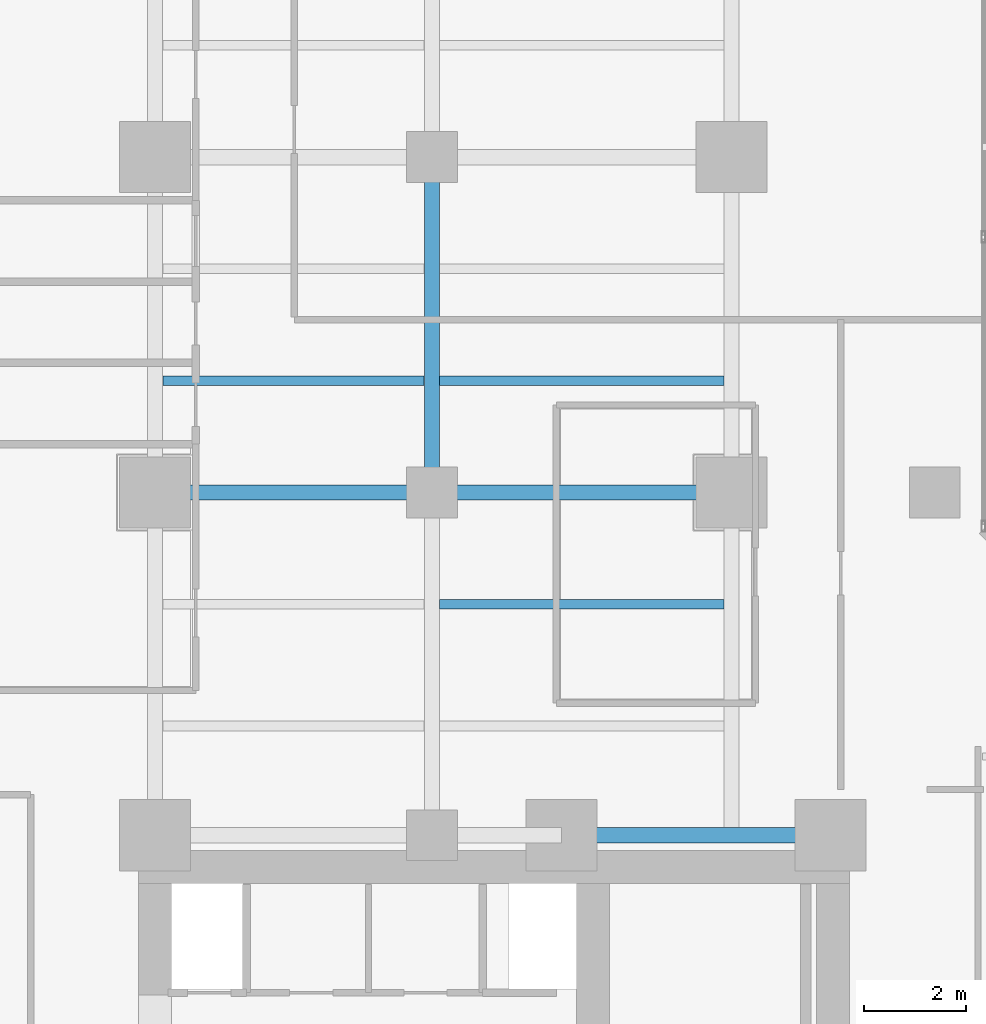
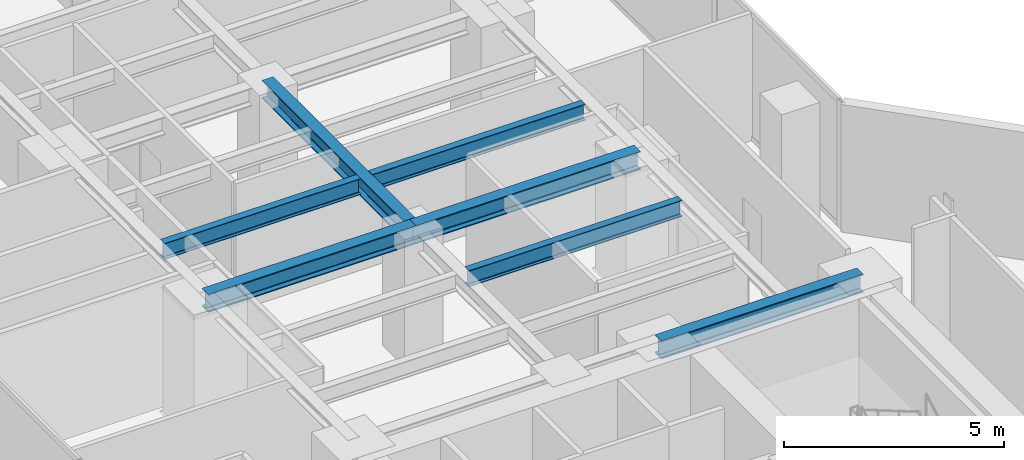
# One storey, part 9 of 29: 7 beams.
"""IFC4 building model written with IfcOpenShell, lengths in metres."""

import ifcopenshell
import ifcopenshell.guid

model = None  # the IFC model being written
_history = None  # IfcOwnerHistory: only IFC2X3 demands one
_inside = {}  # id of a spatial element -> (the spatial element, [elements in it])
_under = {}  # id of a project, library or spatial element -> (it, [spatial elements below it])
_declared = {}  # id of a project -> (the project, [libraries it declares])
_typed = {}  # id of a type object -> (the type object, [elements of that type])
_made_of = {}  # id of a material, layer set ... -> (it, [elements and type objects made of it])


def new_model(schema):
    """Start an empty IFC model of exactly this schema.

    Asked for "IFC4X3", IfcOpenShell would pick the latest addendum, in which some entities
    have other attributes; the version numbers below select the first issue.
    IFC2X3 requires an IfcOwnerHistory on every rooted entity: one is made here for all.
    """
    global model, _history
    if schema == "IFC4X3":
        model = ifcopenshell.file(schema_version=(4, 3, 0, 0))
    else:
        model = ifcopenshell.file(schema=schema)
    _inside.clear()
    _under.clear()
    _declared.clear()
    _typed.clear()
    _made_of.clear()
    _history = None
    if model.schema == "IFC2X3":
        org = make("IfcOrganization", Name="unknown")
        user = make(
            "IfcPersonAndOrganization",
            ThePerson=make("IfcPerson", FamilyName="unknown"),
            TheOrganization=org,
        )
        app = make(
            "IfcApplication",
            ApplicationDeveloper=org,
            Version="unknown",
            ApplicationFullName="unknown",
            ApplicationIdentifier="unknown",
        )
        _history = make(
            "IfcOwnerHistory",
            OwningUser=user,
            OwningApplication=app,
            ChangeAction="ADDED",
            CreationDate=0,
        )
    return model


def make(cls, **values):
    """One entity of the class cls with the attributes given. An attribute that is None is left unset."""
    return model.create_entity(
        cls, **{name: value for name, value in values.items() if value is not None}
    )


def rooted(cls, **values):
    """An entity with a GlobalId (a new one), such as an element, a storey or a relation."""
    return make(cls, GlobalId=ifcopenshell.guid.new(), OwnerHistory=_history, **values)


def si_unit(unit_type, name, prefix=None):
    """IfcSIUnit, for example si_unit("LENGTHUNIT", "METRE", prefix="MILLI")."""
    return make("IfcSIUnit", UnitType=unit_type, Prefix=prefix, Name=name)


def assignment(units):
    """IfcUnitAssignment: the units of a project."""
    return None if units is None else make("IfcUnitAssignment", Units=units)


def point(xyz):
    """IfcCartesianPoint."""
    return None if xyz is None else make("IfcCartesianPoint", Coordinates=xyz)


def direction(xyz):
    """IfcDirection."""
    return None if xyz is None else make("IfcDirection", DirectionRatios=xyz)


def frame(location, z_axis=None, x_axis=None):
    """IfcAxis2Placement3D, a coordinate frame: its origin and axes. An axis left out is left unset."""
    return make(
        "IfcAxis2Placement3D",
        Location=point(location),
        Axis=direction(z_axis),
        RefDirection=direction(x_axis),
    )


def frame_2d(location, x_axis=None):
    """IfcAxis2Placement2D, a coordinate frame in the plane: its origin and x axis."""
    return make(
        "IfcAxis2Placement2D", Location=point(location), RefDirection=direction(x_axis)
    )


def origin():
    """The frame at (0, 0, 0) with its axes left unset."""
    return frame((0.0, 0.0, 0.0))


def origin_2d():
    """The frame at (0, 0) in the plane with its x axis left unset."""
    return frame_2d((0.0, 0.0))


def place(relative_to, where):
    """IfcLocalPlacement: puts the frame where relative to a parent placement (None: the world)."""
    return make(
        "IfcLocalPlacement", PlacementRelTo=relative_to, RelativePlacement=where
    )


def context(
    kind, dimensions, precision=None, world=None, true_north=None, identifier=None
):
    """IfcGeometricRepresentationContext, for example the 3D "Model" context."""
    return make(
        "IfcGeometricRepresentationContext",
        ContextIdentifier=identifier,
        ContextType=kind,
        CoordinateSpaceDimension=dimensions,
        Precision=precision,
        WorldCoordinateSystem=world,
        TrueNorth=true_north,
    )


def subcontext(parent, identifier, kind, view, scale=None):
    """IfcGeometricRepresentationSubContext, for example "Body" below "Model"."""
    return make(
        "IfcGeometricRepresentationSubContext",
        ContextIdentifier=identifier,
        ContextType=kind,
        ParentContext=parent,
        TargetScale=scale,
        TargetView=view,
    )


def project(units=None, contexts=None):
    """IfcProject with its units and contexts."""
    return rooted(
        "IfcProject",
        Name="project",
        RepresentationContexts=contexts,
        UnitsInContext=assignment(units),
    )


def spatial(cls, under=None, at=None, **own):
    """A site, building, storey or space (cls), placed at a placement, below another one or the project."""
    s = rooted(cls, ObjectPlacement=at, **own)
    if under is not None:
        _under.setdefault(under.id(), (under, []))[1].append(s)
    return s


def profile(cls, at=None, kind="AREA", **sizes):
    """A parametric profile (cls). Its sizes go by their IFC names, for example OverallWidth=200.0."""
    return make(cls, ProfileType=kind, Position=at, **sizes)


def i_section(**sizes):
    """IfcIShapeProfileDef."""
    return profile("IfcIShapeProfileDef", **sizes)


def extrude(swept, where, along, depth):
    """IfcExtrudedAreaSolid: the profile swept, set in the frame where, extruded along a direction by depth."""
    return make(
        "IfcExtrudedAreaSolid",
        SweptArea=swept,
        Position=where,
        ExtrudedDirection=direction(along),
        Depth=depth,
    )


def shape(context_of_items, identifier, shape_type, items):
    """IfcShapeRepresentation: the items that make up one representation, for example the "Body"."""
    return make(
        "IfcShapeRepresentation",
        ContextOfItems=context_of_items,
        RepresentationIdentifier=identifier,
        RepresentationType=shape_type,
        Items=items,
    )


def material(Name=None, Category=None):
    """IfcMaterial."""
    return make("IfcMaterial", Name=Name, Category=Category)


def material_profile(
    of_material, cross_section, Name=None, Category=None, Priority=None
):
    """IfcMaterialProfile: a cross section and its material."""
    return make(
        "IfcMaterialProfile",
        Name=Name,
        Material=of_material,
        Profile=cross_section,
        Priority=Priority,
        Category=Category,
    )


def profile_set(profiles, Name=None, composite=None):
    """IfcMaterialProfileSet."""
    return make(
        "IfcMaterialProfileSet",
        Name=Name,
        MaterialProfiles=profiles,
        CompositeProfile=composite,
    )


def made_of(thing, what):
    """Note that an element or type object is made of a material, layer set ...; save() writes the relation."""
    if what is not None:
        _made_of.setdefault(what.id(), (what, []))[1].append(thing)
    return thing


def type_object(cls, material=None, **own):
    """A type object (cls), such as IfcWallType, which elements share."""
    return made_of(rooted(cls, **own), material)


def element(
    cls,
    number,
    at=None,
    inside=None,
    cuts=None,
    type_object=None,
    material=None,
    context=None,
    identifier="Body",
    shape_type=None,
    held_by="IfcProductDefinitionShape",
    body=None,
    shapes=None,
    **own,
):
    """One element of the class cls, such as IfcWall. Its Tag is "e" and its number.

    at: its placement. inside: the storey or other place that contains it. cuts: it is an
    opening in that element (IfcRelVoidsElement). A single representation is given by context,
    identifier, shape_type and body (its items); several are given by shapes. held_by: the class
    of the entity that holds the representations. save() writes the other relations.
    """
    e = rooted(cls, Tag="e%d" % number, ObjectPlacement=at, **own)
    if body is not None:
        shapes = [shape(context, identifier, shape_type, body)]
    if shapes is not None:
        e.Representation = make(held_by, Representations=shapes)
    if inside is not None:
        _inside.setdefault(inside.id(), (inside, []))[1].append(e)
    if cuts is not None:
        rooted(
            "IfcRelVoidsElement", RelatingBuildingElement=cuts, RelatedOpeningElement=e
        )
    if type_object is not None:
        _typed.setdefault(type_object.id(), (type_object, []))[1].append(e)
    return made_of(e, material)


def aggregate(whole, parts):
    """IfcRelAggregates: a whole, such as a stair, and the parts it consists of."""
    return rooted("IfcRelAggregates", RelatingObject=whole, RelatedObjects=parts)


def save(model, path):
    """Write the relations noted so far, then the file.

    IfcRelAggregates (storeys below a building ...), IfcRelContainedInSpatialStructure (elements
    in a storey), IfcRelDefinesByType, IfcRelAssociatesMaterial and IfcRelDeclares: one each for
    every whole, place, type object, material and project.
    """
    for whole, parts in _under.values():
        aggregate(whole, parts)
    for where, things in _inside.values():
        rooted(
            "IfcRelContainedInSpatialStructure",
            RelatedElements=things,
            RelatingStructure=where,
        )
    for kind, things in _typed.values():
        rooted("IfcRelDefinesByType", RelatedObjects=things, RelatingType=kind)
    for what, things in _made_of.values():
        rooted("IfcRelAssociatesMaterial", RelatedObjects=things, RelatingMaterial=what)
    for by, libraries in _declared.values():
        rooted("IfcRelDeclares", RelatingContext=by, RelatedDefinitions=libraries)
    model.write(path)


model = new_model("IFC4")

# Units and contexts
model_context = context("Model", 3, precision=1e-05, world=origin(), true_north=direction((0.0, 1.0)))
body_context = subcontext(model_context, "Body", "Model", "MODEL_VIEW")
ifc_project = project(units=[si_unit("LENGTHUNIT", "METRE"), si_unit("AREAUNIT", "SQUARE_METRE"), si_unit("VOLUMEUNIT", "CUBIC_METRE"), si_unit("PLANEANGLEUNIT", "RADIAN"), si_unit("MASSUNIT", "GRAM", prefix="KILO")], contexts=[model_context])

# Site, building, storey
site_placement = place(None, origin())
site = spatial("IfcSite", under=ifc_project, at=site_placement, CompositionType="ELEMENT")
building_placement = place(site_placement, origin())
building = spatial("IfcBuilding", under=site, at=building_placement, Name="Kolvaren Waterfront Exchange", CompositionType="ELEMENT")
storey_placement = place(building_placement, frame((0.0, 0.0, 129.699951171875)))
storey = spatial("IfcBuildingStorey", under=building, at=storey_placement, Name="L33", CompositionType="ELEMENT", Elevation=129.699951171875)

# Beams
ifc_material = material(Name="Steel S355", Category="steel")
ifc_material_profile_1 = material_profile(ifc_material, i_section(OverallWidth=0.300048828125, OverallDepth=0.5, WebThickness=0.014404296875, FlangeThickness=0.028076171875, FilletRadius=0.027099609375, at=origin_2d()), Name="HEB500")
ifc_profile_set_1 = profile_set([ifc_material_profile_1], Name="Steel S355")
beam_type_1 = type_object("IfcBeamType", Name="STR-BM-HEB500", PredefinedType="BEAM", material=ifc_profile_set_1)
beam_1_placement = place(storey_placement, frame((15.449951171875, 24.449951171875, 3.2900390625), z_axis=(1.0, 0.0, 0.0), x_axis=(0.0, 1.0, 0.0)))
element("IfcBeam", 1, at=beam_1_placement, inside=storey, type_object=beam_type_1, Name="L33 north-arm girder 1C", PredefinedType="BEAM", context=body_context, shape_type="SweptSolid", body=[
    extrude(i_section(OverallWidth=0.300048828125, OverallDepth=0.5, WebThickness=0.014404296875, FlangeThickness=0.028076171875, FilletRadius=0.027099609375, at=origin_2d()), origin(), (0.0, 0.0, 1.0), 5.300048828125),
])
beam_2_placement = place(storey_placement, frame((7.449951171875, 31.199951171875, 3.2900390625), z_axis=(1.0, 0.0, 0.0), x_axis=(0.0, 1.0, 0.0)))
element("IfcBeam", 2, at=beam_2_placement, inside=storey, type_object=beam_type_1, Name="L33 north-arm girder 2A", PredefinedType="BEAM", context=body_context, shape_type="SweptSolid", body=[
    extrude(i_section(OverallWidth=0.300048828125, OverallDepth=0.5, WebThickness=0.014404296875, FlangeThickness=0.028076171875, FilletRadius=0.027099609375, at=origin_2d()), origin(), (0.0, 0.0, 1.0), 5.449951171875),
])
beam_3_placement = place(storey_placement, frame((12.89990234375, 31.199951171875, 3.2900390625), z_axis=(1.0, 0.0, 0.0), x_axis=(0.0, 1.0, 0.0)))
element("IfcBeam", 3, at=beam_3_placement, inside=storey, type_object=beam_type_1, Name="L33 north-arm girder 2B", PredefinedType="BEAM", context=body_context, shape_type="SweptSolid", body=[
    extrude(i_section(OverallWidth=0.300048828125, OverallDepth=0.5, WebThickness=0.014404296875, FlangeThickness=0.028076171875, FilletRadius=0.027099609375, at=origin_2d()), origin(), (0.0, 0.0, 1.0), 5.900146484375),
])
beam_4_placement = place(storey_placement, frame((12.89990234375, 31.199951171875, 3.2900390625), z_axis=(0.0, 1.0, 0.0), x_axis=(-1.0, 0.0, 0.0)))
element("IfcBeam", 4, at=beam_4_placement, inside=storey, type_object=beam_type_1, Name="L33 north-arm edge beam 2", PredefinedType="BEAM", context=body_context, shape_type="SweptSolid", body=[
    extrude(i_section(OverallWidth=0.300048828125, OverallDepth=0.5, WebThickness=0.014404296875, FlangeThickness=0.028076171875, FilletRadius=0.027099609375, at=origin_2d()), origin(), (0.0, 0.0, 1.0), 6.60009765625),
])
ifc_material_profile_2 = material_profile(ifc_material, i_section(OverallWidth=0.18994140625, OverallDepth=0.449951171875, WebThickness=0.009521484375, FlangeThickness=0.0146484375, FilletRadius=0.02099609375, at=origin_2d()), Name="IPE450")
ifc_profile_set_2 = profile_set([ifc_material_profile_2], Name="Steel S355")
beam_type_2 = type_object("IfcBeamType", Name="STR-BM-IPE450", PredefinedType="JOIST", material=ifc_profile_set_2)
beam_5_placement = place(storey_placement, frame((13.052001953125, 29.0, 3.31494140625), z_axis=(1.0, 0.0, 0.0), x_axis=(0.0, 1.0, 0.0)))
element("IfcBeam", 5, at=beam_5_placement, inside=storey, type_object=beam_type_2, Name="L33 north-arm composite joist 2B", PredefinedType="JOIST", context=body_context, shape_type="SweptSolid", body=[
    extrude(i_section(OverallWidth=0.18994140625, OverallDepth=0.449951171875, WebThickness=0.009521484375, FlangeThickness=0.0146484375, FilletRadius=0.02099609375, at=origin_2d()), origin(), (0.0, 0.0, 1.0), 5.595947265625),
])
beam_6_placement = place(storey_placement, frame((7.60205078125, 33.39990234375, 3.31494140625), z_axis=(1.0, 0.0, 0.0), x_axis=(0.0, 1.0, 0.0)))
element("IfcBeam", 6, at=beam_6_placement, inside=storey, type_object=beam_type_2, Name="L33 north-arm composite joist 3A", PredefinedType="JOIST", context=body_context, shape_type="SweptSolid", body=[
    extrude(i_section(OverallWidth=0.18994140625, OverallDepth=0.449951171875, WebThickness=0.009521484375, FlangeThickness=0.0146484375, FilletRadius=0.02099609375, at=origin_2d()), origin(), (0.0, 0.0, 1.0), 5.14599609375),
])
beam_7_placement = place(storey_placement, frame((13.052001953125, 33.39990234375, 3.31494140625), z_axis=(1.0, 0.0, 0.0), x_axis=(0.0, 1.0, 0.0)))
element("IfcBeam", 7, at=beam_7_placement, inside=storey, type_object=beam_type_2, Name="L33 north-arm composite joist 3B", PredefinedType="JOIST", context=body_context, shape_type="SweptSolid", body=[
    extrude(i_section(OverallWidth=0.18994140625, OverallDepth=0.449951171875, WebThickness=0.009521484375, FlangeThickness=0.0146484375, FilletRadius=0.02099609375, at=origin_2d()), origin(), (0.0, 0.0, 1.0), 5.595947265625),
])

save(model, "model.ifc")
